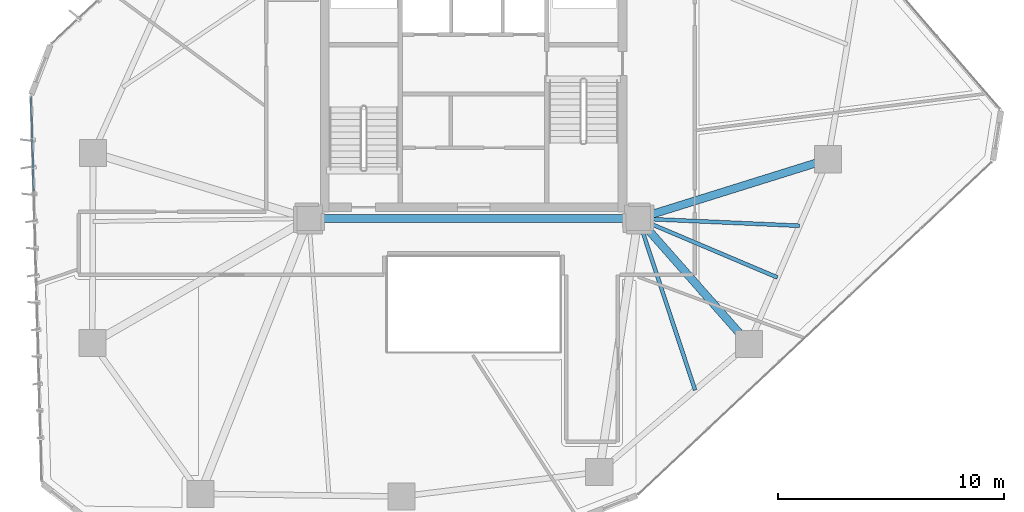
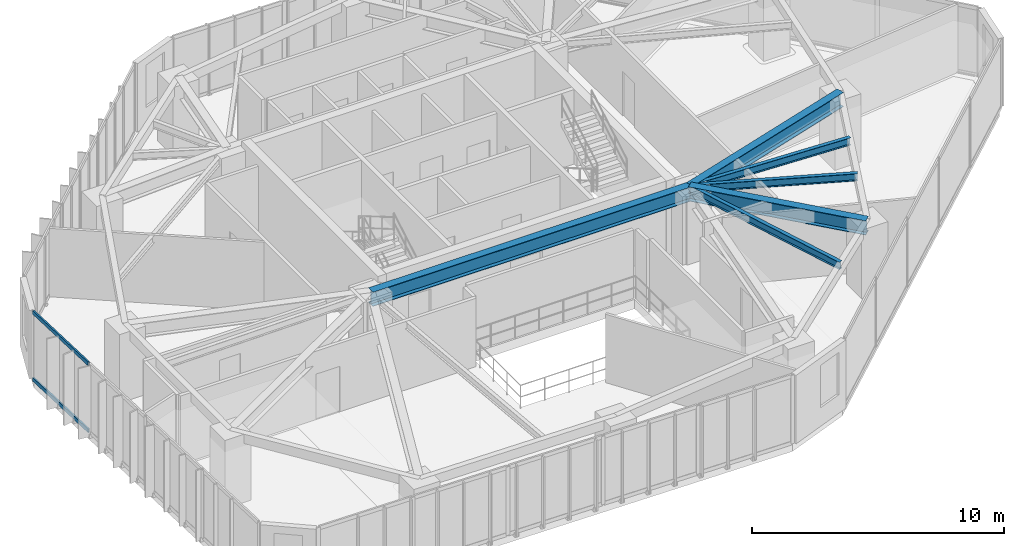
# One storey, part 8 of 22: 6 beams, 2 members, 1 element without a shape of its own.
"""IFC4 building model written with IfcOpenShell, lengths in metres."""

from ifc_helpers import new_model, si_unit, direction, frame, origin, origin_2d, place, context, subcontext, project, spatial, hollow_rectangle, i_section, extrude, source, transform, mapped, material, layer, layer_set, material_profile, profile_set, type_object, type_shapes, element, aggregate, save


model = new_model("IFC4")

# Units and contexts
model_context = context("Model", 3, precision=1e-05, world=origin(), true_north=direction((0.0, 1.0)))
body_context = subcontext(model_context, "Body", "Model", "MODEL_VIEW")
ifc_project = project(units=[si_unit("LENGTHUNIT", "METRE"), si_unit("AREAUNIT", "SQUARE_METRE"), si_unit("VOLUMEUNIT", "CUBIC_METRE"), si_unit("PLANEANGLEUNIT", "RADIAN"), si_unit("MASSUNIT", "GRAM", prefix="KILO")], contexts=[model_context])

# Site, building, storey
site_placement = place(None, origin())
site = spatial("IfcSite", under=ifc_project, at=site_placement, CompositionType="ELEMENT")
building_placement = place(site_placement, origin())
building = spatial("IfcBuilding", under=site, at=building_placement, Name="Talar Marvaseh", CompositionType="ELEMENT")
storey_placement = place(building_placement, frame((0.0, 0.0, 89.39990234375)))
storey = spatial("IfcBuildingStorey", under=building, at=storey_placement, Name="L22", CompositionType="ELEMENT", Elevation=89.39990234375)

# Beams
ifc_material_1 = material(Name="Steel S355", Category="steel")
ifc_material_profile_1 = material_profile(ifc_material_1, i_section(OverallWidth=0.35498046875, OverallDepth=0.695068359375, WebThickness=0.015380859375, FlangeThickness=0.02490234375, at=origin_2d()), Name="W690x217")
ifc_profile_set_1 = profile_set([ifc_material_profile_1], Name="Steel S355")
beam_type_1 = type_object("IfcBeamType", Name="Zone 2 Radial Floor Girder W690x217", PredefinedType="BEAM", material=ifc_profile_set_1)
beam_1_placement = place(storey_placement, frame((18.699951171875, 25.5, 2.962646484375), z_axis=(1.0, 0.0, 0.0), x_axis=(0.0, 1.0, 0.0)))
element("IfcBeam", 1, at=beam_1_placement, inside=storey, type_object=beam_type_1, Name="L22 Zone 2 Radial Floor Girder W690x217", PredefinedType="BEAM", context=body_context, shape_type="SweptSolid", body=[
    extrude(i_section(OverallWidth=0.35498046875, OverallDepth=0.695068359375, WebThickness=0.015380859375, FlangeThickness=0.02490234375, at=origin_2d()), origin(), (0.0, 0.0, 1.0), 14.60009765625),
])
beam_2_placement = place(storey_placement, frame((41.708984375, 28.1279296875, 2.962646484375), z_axis=(-0.954475540106, -0.298289194138, 0.0), x_axis=(0.298289194138, -0.954475540106, 0.0)))
element("IfcBeam", 2, at=beam_2_placement, inside=storey, type_object=beam_type_1, Name="L22 Zone 2 Radial Floor Girder W690x217", PredefinedType="BEAM", context=body_context, shape_type="SweptSolid", body=[
    extrude(i_section(OverallWidth=0.35498046875, OverallDepth=0.695068359375, WebThickness=0.015380859375, FlangeThickness=0.02490234375, at=origin_2d()), origin(), (0.0, 0.0, 1.0), 8.81005859375),
])
beam_3_placement = place(storey_placement, frame((38.2060546875, 19.94091796875, 2.962646484375), z_axis=(-0.661692423388, 0.749775390921, 0.0), x_axis=(-0.749775390921, -0.661692423388, 0.0)))
element("IfcBeam", 3, at=beam_3_placement, inside=storey, type_object=beam_type_1, Name="L22 Zone 2 Radial Floor Girder W690x217", PredefinedType="BEAM", context=body_context, shape_type="SweptSolid", body=[
    extrude(i_section(OverallWidth=0.35498046875, OverallDepth=0.695068359375, WebThickness=0.015380859375, FlangeThickness=0.02490234375, at=origin_2d()), origin(), (0.0, 0.0, 1.0), 7.414306640625),
])
ifc_material_profile_2 = material_profile(ifc_material_1, i_section(OverallWidth=0.172119140625, OverallDepth=0.35791015625, WebThickness=0.0078125, FlangeThickness=0.01318359375, at=origin_2d()), Name="W360x57")
ifc_profile_set_2 = profile_set([ifc_material_profile_2], Name="Steel S355")
beam_type_2 = type_object("IfcBeamType", Name="Zone 2 Secondary Floor Joist W360x57", PredefinedType="JOIST", material=ifc_profile_set_2)
beam_4_placement = place(storey_placement, frame((40.447998046875, 25.1806640625, 3.131103515625), z_axis=(-0.999003555358, 0.044630666385, 0.0), x_axis=(-0.044630666385, -0.999003555358, 0.0)))
element("IfcBeam", 4, at=beam_4_placement, inside=storey, type_object=beam_type_2, Name="L22 Zone 2 Secondary Floor Joist W360x57", PredefinedType="JOIST", context=body_context, shape_type="SweptSolid", body=[
    extrude(i_section(OverallWidth=0.172119140625, OverallDepth=0.35791015625, WebThickness=0.0078125, FlangeThickness=0.01318359375, at=origin_2d()), origin(), (0.0, 0.0, 1.0), 7.155029296875),
])
beam_5_placement = place(storey_placement, frame((39.467041015625, 22.88818359375, 3.131103515625), z_axis=(-0.920822287071, 0.389982455546, 0.0), x_axis=(-0.389982455546, -0.920822287071, 0.0)))
element("IfcBeam", 5, at=beam_5_placement, inside=storey, type_object=beam_type_2, Name="L22 Zone 2 Secondary Floor Joist W360x57", PredefinedType="JOIST", context=body_context, shape_type="SweptSolid", body=[
    extrude(i_section(OverallWidth=0.172119140625, OverallDepth=0.35791015625, WebThickness=0.0078125, FlangeThickness=0.01318359375, at=origin_2d()), origin(), (0.0, 0.0, 1.0), 6.697265625),
])
beam_6_placement = place(storey_placement, frame((35.81689453125, 17.898681640625, 3.131103515625), z_axis=(-0.314324535154, 0.949315588516, 0.0), x_axis=(-0.949315588516, -0.314324535154, 0.0)))
element("IfcBeam", 6, at=beam_6_placement, inside=storey, type_object=beam_type_2, Name="L22 Zone 2 Secondary Floor Joist W360x57", PredefinedType="JOIST", context=body_context, shape_type="SweptSolid", body=[
    extrude(i_section(OverallWidth=0.172119140625, OverallDepth=0.35791015625, WebThickness=0.0078125, FlangeThickness=0.01318359375, at=origin_2d()), origin(), (0.0, 0.0, 1.0), 8.007080078125),
])

# Curtain wall, members
ifc_material_2 = material(Name="Architectural Aluminium", Category="aluminium")
ifc_layer = layer(ifc_material_2, 0.199951171875)
ifc_layer_set = layer_set([ifc_layer], Name="Architectural Aluminium")
curtain_wall_type = type_object("IfcCurtainWallType", Name="Unitised Acoustic Library Curtain Wall Z2", PredefinedType="NOTDEFINED", material=ifc_layer_set)
curtain_wall_placement = place(storey_placement, origin())
curtain_wall = element("IfcCurtainWall", 7, at=curtain_wall_placement, inside=storey, type_object=curtain_wall_type, Name="L22 Unitised Acoustic Library Curtain Wall Z2", PredefinedType="NOTDEFINED")
ifc_material_profile_3 = material_profile(ifc_material_2, hollow_rectangle(XDim=0.074951171875, YDim=0.179931640625, WallThickness=0.0048828125, at=origin_2d()), Name="RHS180x75x5")
ifc_profile_set_3 = profile_set([ifc_material_profile_3], Name="Architectural Aluminium")
member_type = type_object("IfcMemberType", Name="Unitised Curtain Wall Transom RHS180x75x5", PredefinedType="USERDEFINED", material=ifc_profile_set_3)
shared_shape = source(origin(), body_context, "Body", "SweptSolid", [
    extrude(hollow_rectangle(XDim=0.074951171875, YDim=0.179931640625, WallThickness=0.0048828125, at=origin_2d()), origin(), (0.0, 0.0, 1.0), 4.185546875),
])
type_shapes(member_type, [shared_shape])
member_1_placement = place(storey_placement, frame((6.5068359375, 26.71533203125, 0.03759765625), z_axis=(-0.027882019233, 0.999611220927, 0.0), x_axis=(-0.999611220927, -0.027882019233, 0.0)))
member_1 = element("IfcMember", 8, at=member_1_placement, type_object=member_type, Name="CW-Z2 transom 4.1", ObjectType="TRANSOM", PredefinedType="USERDEFINED", context=body_context, shape_type="MappedRepresentation", body=[
    mapped(shared_shape, transform((0.0, 0.0, 0.0), x_axis=(1.0, 0.0, 0.0), y_axis=(0.0, 1.0, 0.0), z_axis=(0.0, 0.0, 1.0), scale=1.0)),
])
member_2_placement = place(storey_placement, frame((6.5068359375, 26.71533203125, 3.272705078125), z_axis=(-0.027882019233, 0.999611220927, 0.0), x_axis=(-0.999611220927, -0.027882019233, 0.0)))
member_2 = element("IfcMember", 9, at=member_2_placement, type_object=member_type, Name="CW-Z2 transom 4.2", ObjectType="TRANSOM", PredefinedType="USERDEFINED", context=body_context, shape_type="MappedRepresentation", body=[
    mapped(shared_shape, transform((0.0, 0.0, 0.0), x_axis=(1.0, 0.0, 0.0), y_axis=(0.0, 1.0, 0.0), z_axis=(0.0, 0.0, 1.0), scale=1.0)),
])
aggregate(curtain_wall, [member_1, member_2])

save(model, "model.ifc")
